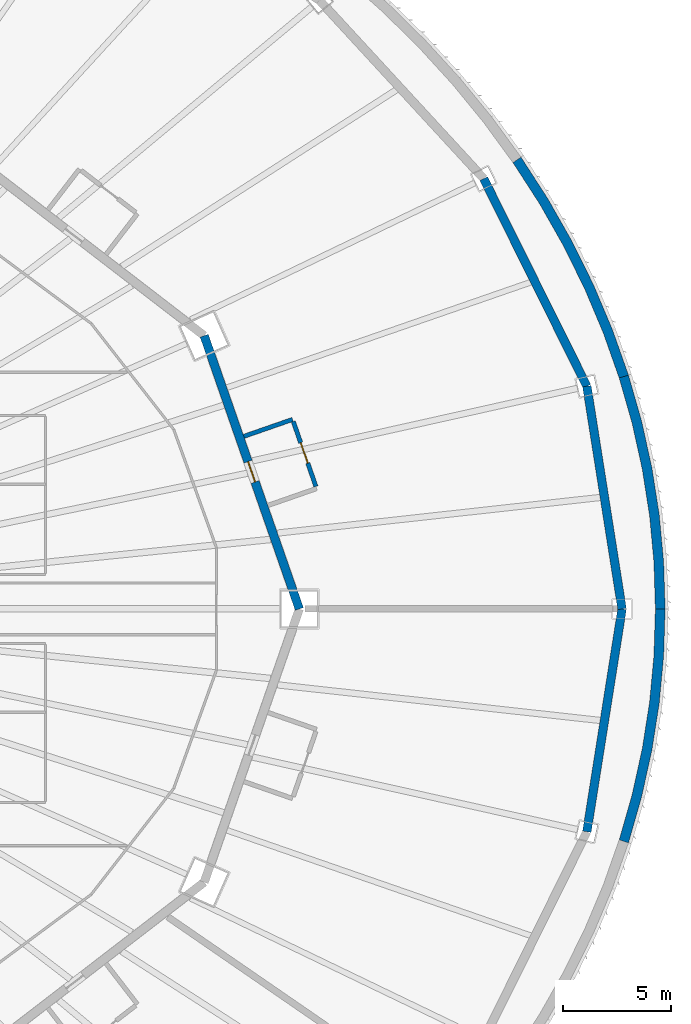
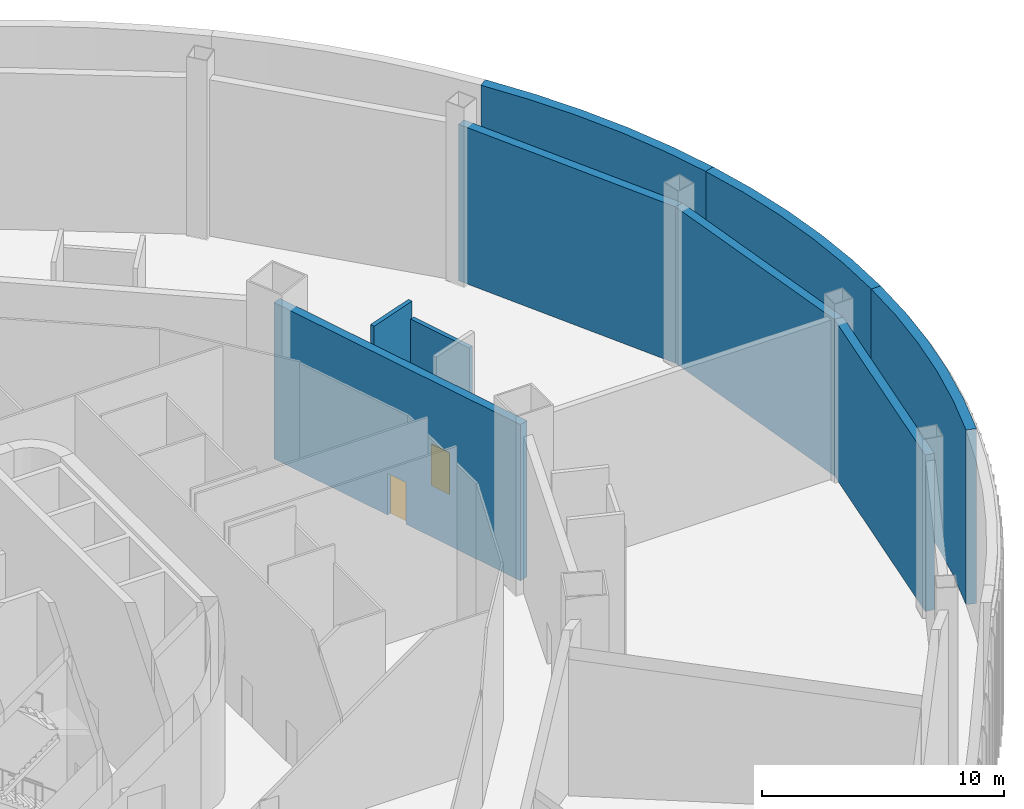
# One storey, part 12 of 35: 9 walls, 2 doors, 2 openings.
"""IFC4 building model written with IfcOpenShell, lengths in metres."""

from ifc_helpers import new_model, si_unit, direction, frame, frame_2d, origin, place, context, subcontext, project, spatial, polyline, rectangle, outline, extrude, material, layer, layer_set, type_object, element, fill, save


model = new_model("IFC4")

# Units and contexts
model_context = context("Model", 3, precision=1e-05, world=origin(), true_north=direction((0.0, 1.0)))
body_context = subcontext(model_context, "Body", "Model", "MODEL_VIEW")
ifc_project = project(units=[si_unit("LENGTHUNIT", "METRE"), si_unit("AREAUNIT", "SQUARE_METRE"), si_unit("VOLUMEUNIT", "CUBIC_METRE"), si_unit("PLANEANGLEUNIT", "RADIAN"), si_unit("MASSUNIT", "GRAM", prefix="KILO")], contexts=[model_context])

# Site, building, storey
site_placement = place(None, origin())
site = spatial("IfcSite", under=ifc_project, at=site_placement, CompositionType="ELEMENT")
building_placement = place(site_placement, origin())
building = spatial("IfcBuilding", under=site, at=building_placement, Name="Sahrelin Media Tower", CompositionType="ELEMENT")
storey_placement = place(building_placement, frame((0.0, 0.0, 17.0)))
storey = spatial("IfcBuildingStorey", under=building, at=storey_placement, Name="L02", CompositionType="ELEMENT", Elevation=17.0)

# Wall
ifc_material_1 = material(Name="Fire-rated gypsum board partition")
ifc_layer_1 = layer(ifc_material_1, 0.199951171875)
ifc_layer_set_1 = layer_set([ifc_layer_1], Name="Fire-rated partition 200")
wall_type_1 = type_object("IfcWallType", Name="Fire-rated partition 200", PredefinedType="PARTITIONING", material=ifc_layer_set_1)
wall_1_placement = place(storey_placement, frame((30.41943359375, 8.021240234375, 0.0), z_axis=(0.0, 0.0, 1.0), x_axis=(0.94440893349, 0.328773122904, 0.0)))
element("IfcWall", 1, at=wall_1_placement, inside=storey, type_object=wall_type_1, Name="Wall", PredefinedType="PARTITIONING", context=body_context, shape_type="SweptSolid", body=[
    extrude(rectangle(XDim=2.39990234375, YDim=0.199951171875, at=frame_2d((1.199951171875, 0.0))), origin(), (0.0, 0.0, 1.0), 8.800048828125),
])

# Wall, opening, door
wall_2_placement = place(storey_placement, frame((33.77099609375, 5.693603515625, 0.0), z_axis=(0.0, 0.0, 1.0), x_axis=(-0.328742544754, 0.944419577978, 0.0)))
wall_2 = element("IfcWall", 2, at=wall_2_placement, inside=storey, type_object=wall_type_1, Name="Wall", PredefinedType="PARTITIONING", context=body_context, shape_type="SweptSolid", body=[
    extrude(rectangle(XDim=3.2001953125, YDim=0.199951171875, at=frame_2d((1.60009765625, 0.0))), origin(), (0.0, 0.0, 1.0), 7.9453125),
])
opening_1_placement = place(wall_2_placement, frame((1.14990234375, 0.0, 0.0)))
opening_1 = element("IfcOpeningElement", 3, at=opening_1_placement, cuts=wall_2, Name="Opening L02-D57", PredefinedType="OPENING", context=body_context, shape_type="SweptSolid", body=[
    extrude(rectangle(XDim=1.0, YDim=2.10009765625, at=frame_2d((0.5, 1.050048828125))), frame((0.0, 0.10009765625, 0.0), z_axis=(0.0, -1.0, 0.0), x_axis=(1.0, 0.0, 0.0)), (0.0, 0.0, 1.0), 0.199951171875),
])
ifc_material_2 = material(Name="Steel fire door leaf", Category="steel")
door_type = type_object("IfcDoorType", Name="Fire door 1000 x 2100 EI 60", OperationType="NOTDEFINED", PredefinedType="DOOR", material=ifc_material_2)
door_1_placement = place(opening_1_placement, origin())
door_1 = element("IfcDoor", 4, at=door_1_placement, inside=storey, type_object=door_type, Name="Fire door", OperationType="SINGLE_SWING_RIGHT", OverallHeight=2.10009765625, OverallWidth=1.0, PredefinedType="DOOR", context=body_context, shape_type="SweptSolid", body=[
    extrude(rectangle(XDim=1.0, YDim=2.10009765625, at=frame_2d((0.5, 1.050048828125))), frame((0.0, 0.02490234375, 0.0), z_axis=(0.0, -1.0, 0.0), x_axis=(1.0, 0.0, 0.0)), (0.0, 0.0, 1.0), 0.050048828125),
])
fill(opening_1, door_1)

# Walls
ifc_layer_2 = layer(ifc_material_1, 0.39990234375)
ifc_layer_set_2 = layer_set([ifc_layer_2], Name="Fire-rated partition 400")
wall_type_2 = type_object("IfcWallType", Name="Fire-rated partition 400", PredefinedType="PARTITIONING", material=ifc_layer_set_2)
wall_3_placement = place(storey_placement, frame((48.0, 0.0, 0.0), z_axis=(0.0, 0.0, 1.0), x_axis=(-0.156041518224, 0.987750497135, 0.0)))
element("IfcWall", 5, at=wall_3_placement, inside=storey, type_object=wall_type_2, Name="Wall", PredefinedType="PARTITIONING", context=body_context, shape_type="SweptSolid", body=[
    extrude(rectangle(XDim=10.481201171875, YDim=0.39990234375, at=frame_2d((5.24072265625, 0.0))), origin(), (0.0, 0.0, 1.0), 7.876953125),
])
wall_4_placement = place(storey_placement, frame((46.364501953125, 10.352783203125, 0.0), z_axis=(0.0, 0.0, 1.0), x_axis=(-0.445118441463, 0.895471704226, 0.0)))
element("IfcWall", 6, at=wall_4_placement, inside=storey, type_object=wall_type_2, Name="Wall", PredefinedType="PARTITIONING", context=body_context, shape_type="SweptSolid", body=[
    extrude(rectangle(XDim=10.7734375, YDim=0.39990234375, at=frame_2d((5.38671875, 0.0))), origin(), (0.0, 0.0, 1.0), 7.876953125),
])
wall_5_placement = place(storey_placement, frame((46.364501953125, -10.352783203125, 0.0), z_axis=(0.0, 0.0, 1.0), x_axis=(0.156041518224, 0.987750497135, 0.0)))
element("IfcWall", 7, at=wall_5_placement, inside=storey, type_object=wall_type_2, Name="Wall", PredefinedType="PARTITIONING", context=body_context, shape_type="SweptSolid", body=[
    extrude(rectangle(XDim=10.481201171875, YDim=0.39990234375, at=frame_2d((5.24072265625, 0.0))), origin(), (0.0, 0.0, 1.0), 7.876953125),
])

# Wall, opening, door
wall_6_placement = place(storey_placement, frame((33.0, 0.0, 0.0), z_axis=(0.0, 0.0, 1.0), x_axis=(-0.328770590399, 0.944409815117, 0.0)))
wall_6 = element("IfcWall", 8, at=wall_6_placement, inside=storey, type_object=wall_type_2, Name="Wall", PredefinedType="PARTITIONING", context=body_context, shape_type="SweptSolid", body=[
    extrude(rectangle(XDim=13.447509765625, YDim=0.39990234375, at=frame_2d((6.7236328125, 0.0))), origin(), (0.0, 0.0, 1.0), 7.8681640625),
])
opening_2_placement = place(wall_6_placement, frame((6.25, 0.0, 0.0)))
opening_2 = element("IfcOpeningElement", 9, at=opening_2_placement, cuts=wall_6, Name="Opening L02-D56", PredefinedType="OPENING", context=body_context, shape_type="SweptSolid", body=[
    extrude(rectangle(XDim=1.0, YDim=2.10009765625, at=frame_2d((0.5, 1.050048828125))), frame((0.0, 0.199951171875, 0.0), z_axis=(0.0, -1.0, 0.0), x_axis=(1.0, 0.0, 0.0)), (0.0, 0.0, 1.0), 0.39990234375),
])
door_2_placement = place(opening_2_placement, origin())
door_2 = element("IfcDoor", 10, at=door_2_placement, inside=storey, type_object=door_type, Name="Fire door", OperationType="SINGLE_SWING_RIGHT", OverallHeight=2.10009765625, OverallWidth=1.0, PredefinedType="DOOR", context=body_context, shape_type="SweptSolid", body=[
    extrude(rectangle(XDim=1.0, YDim=2.10009765625, at=frame_2d((0.5, 1.050048828125))), frame((0.0, 0.02490234375, 0.0), z_axis=(0.0, -1.0, 0.0), x_axis=(1.0, 0.0, 0.0)), (0.0, 0.0, 1.0), 0.050048828125),
])
fill(opening_2, door_2)

# Walls
ifc_material_3 = material(Name="Concrete C40/50", Category="concrete")
ifc_layer_3 = layer(ifc_material_3, 0.449951171875)
ifc_layer_set_3 = layer_set([ifc_layer_3], Name="Studio facade wall")
wall_type_3 = type_object("IfcWallType", Name="Studio facade wall", PredefinedType="SOLIDWALL", material=ifc_layer_set_3)
placement = place(storey_placement, origin())
element("IfcWall", 11, at=placement, inside=storey, type_object=wall_type_3, Name="Studio facade wall L02-P00", PredefinedType="SOLIDWALL", context=body_context, shape_type="SweptSolid", body=[
    extrude(outline(polyline([(50.0, 0.0), (49.931396484375, 2.197998046875), (49.72607421875, 4.39013671875), (49.384521484375, 6.5703125), (48.907470703125, 8.732421875), (48.29638671875, 10.870361328125), (47.86767578125, 10.733642578125), (48.47119140625, 8.621826171875), (48.942138671875, 6.48681640625), (49.279541015625, 4.334228515625), (49.482421875, 2.170166015625), (49.550048828125, 0.0), (50.0, 0.0)])), origin(), (0.0, 0.0, 1.0), 8.800048828125),
])
element("IfcWall", 12, at=placement, inside=storey, type_object=wall_type_3, Name="Studio facade wall L02-P01", PredefinedType="SOLIDWALL", context=body_context, shape_type="SweptSolid", body=[
    extrude(outline(polyline([(48.29638671875, 10.870361328125), (47.552734375, 12.978759765625), (46.678955078125, 15.051513671875), (45.67724609375, 17.0830078125), (44.55029296875, 19.067626953125), (43.30126953125, 21.0), (42.930419921875, 20.7451171875), (44.16552734375, 18.834228515625), (45.27978515625, 16.872314453125), (46.269775390625, 14.864501953125), (47.133056640625, 12.81640625), (47.86767578125, 10.733642578125), (48.29638671875, 10.870361328125)])), origin(), (0.0, 0.0, 1.0), 8.800048828125),
])
element("IfcWall", 13, at=placement, inside=storey, type_object=wall_type_3, Name="Studio facade wall L02-P23", PredefinedType="SOLIDWALL", context=body_context, shape_type="SweptSolid", body=[
    extrude(outline(polyline([(48.29638671875, -10.870361328125), (48.907470703125, -8.732421875), (49.384521484375, -6.5703125), (49.72607421875, -4.39013671875), (49.931396484375, -2.197998046875), (50.0, 0.0), (49.550048828125, 0.0), (49.482421875, -2.170166015625), (49.279541015625, -4.334228515625), (48.942138671875, -6.48681640625), (48.47119140625, -8.621826171875), (47.86767578125, -10.733642578125), (48.29638671875, -10.870361328125)])), origin(), (0.0, 0.0, 1.0), 8.800048828125),
])

save(model, "model.ifc")
